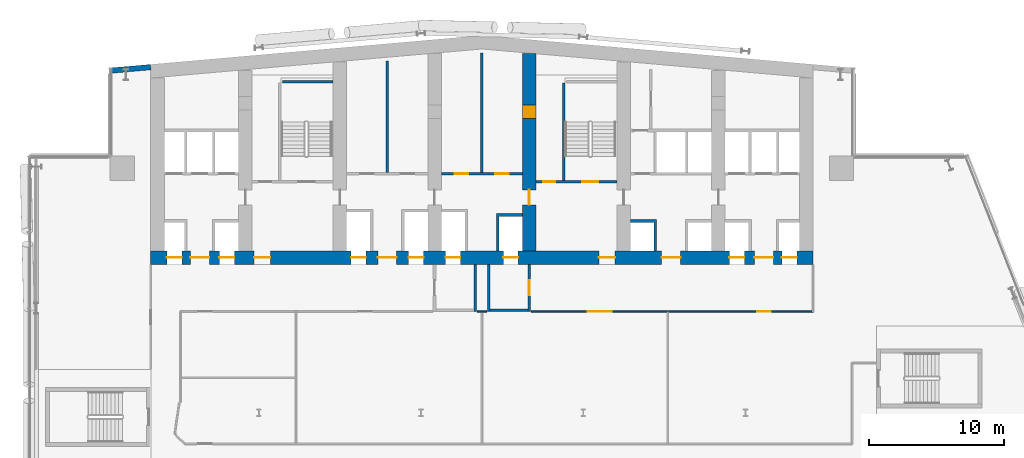
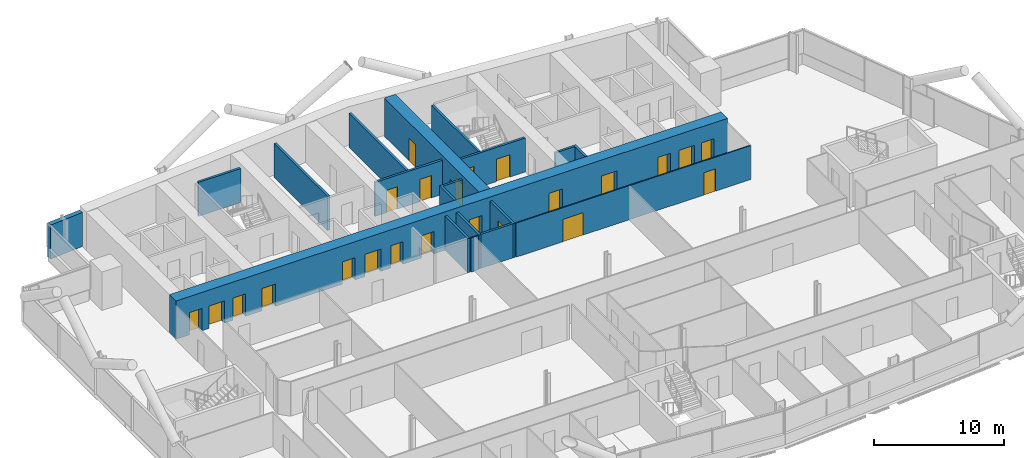
# One storey, part 18 of 27: 23 doors, 17 walls, 23 openings.
"""IFC4 building model written with IfcOpenShell, lengths in metres."""

from ifc_helpers import new_model, si_unit, direction, frame, frame_2d, origin, place, context, subcontext, project, spatial, polyline, rectangle, outline, extrude, material, layer, layer_set, type_object, element, fill, save


model = new_model("IFC4")

# Units and contexts
model_context = context("Model", 3, precision=1e-05, world=origin(), true_north=direction((0.0, 1.0)))
body_context = subcontext(model_context, "Body", "Model", "MODEL_VIEW")
ifc_project = project(units=[si_unit("LENGTHUNIT", "METRE"), si_unit("AREAUNIT", "SQUARE_METRE"), si_unit("VOLUMEUNIT", "CUBIC_METRE"), si_unit("PLANEANGLEUNIT", "RADIAN"), si_unit("MASSUNIT", "GRAM", prefix="KILO")], contexts=[model_context])

# Site, building, storey
site_placement = place(None, origin())
site = spatial("IfcSite", under=ifc_project, at=site_placement, CompositionType="ELEMENT")
building_placement = place(site_placement, origin())
building = spatial("IfcBuilding", under=site, at=building_placement, Name="Wharfspan Tower", CompositionType="ELEMENT")
storey_placement = place(building_placement, frame((0.0, 0.0, 136.300049)))
storey = spatial("IfcBuildingStorey", under=building, at=storey_placement, Name="L32", CompositionType="ELEMENT", Elevation=136.300049)

# Wall
ifc_material_1 = material(Name="Gypsum board on steel studs", Category="steel")
ifc_layer_1 = layer(ifc_material_1, 0.100098)
ifc_layer_set_1 = layer_set([ifc_layer_1], Name="Gypsum board on steel studs")
wall_type_1 = type_object("IfcWallType", Name="Compartment wall 100 EI 60", PredefinedType="PARTITIONING", material=ifc_layer_set_1)
wall_1_placement = place(storey_placement, frame((40.149902, 30.5, 0.0), z_axis=(0.0, 0.0, 1.0), x_axis=(1.0, 0.0, 0.0)))
element("IfcWall", 1, at=wall_1_placement, inside=storey, type_object=wall_type_1, Name="Partition L32.w017 (2)", PredefinedType="PARTITIONING", context=body_context, shape_type="SweptSolid", body=[
    extrude(rectangle(XDim=0.700195, YDim=0.100098, at=frame_2d((0.350098, 0.0))), origin(), (0.0, 0.0, 1.0), 3.199951),
])

# Wall, openings, doors
wall_2_placement = place(storey_placement, frame((44.149902, 30.5, 0.0), z_axis=(0.0, 0.0, 1.0), x_axis=(1.0, 0.0, 0.0)))
wall_2 = element("IfcWall", 2, at=wall_2_placement, inside=storey, type_object=wall_type_1, Name="Partition L32.w017 (3)", PredefinedType="PARTITIONING", context=body_context, shape_type="SweptSolid", body=[
    extrude(rectangle(XDim=20.850098, YDim=0.100098, at=frame_2d((10.425049, 0.0))), origin(), (0.0, 0.0, 1.0), 3.199951),
])
opening_1_placement = place(wall_2_placement, frame((4.169922, 0.0, 0.0)))
opening_1 = element("IfcOpeningElement", 3, at=opening_1_placement, cuts=wall_2, Name="Opening B5-32", PredefinedType="OPENING", context=body_context, shape_type="SweptSolid", body=[
    extrude(rectangle(XDim=1.800049, YDim=2.100098, at=frame_2d((0.899902, 1.050049))), frame((0.0, 0.060059, 0.0), z_axis=(0.0, -1.0, 0.0), x_axis=(1.0, 0.0, 0.0)), (0.0, 0.0, 1.0), 0.120117),
])
opening_2_placement = place(wall_2_placement, frame((16.719971, 0.0, 0.0)))
opening_2 = element("IfcOpeningElement", 4, at=opening_2_placement, cuts=wall_2, Name="Opening B5-33", PredefinedType="OPENING", context=body_context, shape_type="SweptSolid", body=[
    extrude(rectangle(XDim=1.0, YDim=2.100098, at=frame_2d((0.5, 1.050049))), frame((0.0, 0.060059, 0.0), z_axis=(0.0, -1.0, 0.0), x_axis=(1.0, 0.0, 0.0)), (0.0, 0.0, 1.0), 0.120117),
])
ifc_material_2 = material(Name="Fire-rated timber door leaf in steel frame", Category="steel")
door_type_1 = type_object("IfcDoorType", Name="Door 1000 FD30S Right", OperationType="SINGLE_SWING_RIGHT", PredefinedType="DOOR", material=ifc_material_2)
door_1_placement = place(opening_2_placement, origin())
door_1 = element("IfcDoor", 5, at=door_1_placement, inside=storey, type_object=door_type_1, Name="Door B5-33", OperationType="SINGLE_SWING_RIGHT", OverallHeight=2.100098, OverallWidth=1.0, PredefinedType="DOOR", context=body_context, shape_type="SweptSolid", body=[
    extrude(rectangle(XDim=1.0, YDim=2.100098, at=frame_2d((0.5, 1.050049))), frame((0.0, 0.024902, 0.0), z_axis=(0.0, -1.0, 0.0), x_axis=(1.0, 0.0, 0.0)), (0.0, 0.0, 1.0), 0.050049),
])
fill(opening_2, door_1)
door_type_2 = type_object("IfcDoorType", Name="Door 1800 FD30S Double", OperationType="DOUBLE_DOOR_SINGLE_SWING", PredefinedType="DOOR", material=ifc_material_2)
door_2_placement = place(opening_1_placement, origin())
door_2 = element("IfcDoor", 6, at=door_2_placement, inside=storey, type_object=door_type_2, Name="Door B5-32", OperationType="DOUBLE_DOOR_SINGLE_SWING", OverallHeight=2.100098, OverallWidth=1.800049, PredefinedType="DOOR", context=body_context, shape_type="SweptSolid", body=[
    extrude(rectangle(XDim=1.800049, YDim=2.100098, at=frame_2d((0.899902, 1.050049))), frame((0.0, 0.024902, 0.0), z_axis=(0.0, -1.0, 0.0), x_axis=(1.0, 0.0, 0.0)), (0.0, 0.0, 1.0), 0.050049),
])
fill(opening_1, door_2)

# Walls
ifc_material_3 = material(Name="Calcium silicate masonry", Category="masonry")
ifc_layer_2 = layer(ifc_material_3, 0.199951)
ifc_layer_set_2 = layer_set([ifc_layer_2], Name="Calcium silicate masonry")
wall_type_2 = type_object("IfcWallType", Name="Core room wall 200", PredefinedType="PARTITIONING", material=ifc_layer_set_2)
wall_3_placement = place(storey_placement, frame((33.5, 40.800049, 0.0), z_axis=(0.0, 0.0, 1.0), x_axis=(0.0, 1.0, 0.0)))
element("IfcWall", 7, at=wall_3_placement, inside=storey, type_object=wall_type_2, Name="sw:L32:RP3.1", PredefinedType="PARTITIONING", context=body_context, shape_type="SweptSolid", body=[
    extrude(rectangle(XDim=8.232178, YDim=0.199951, at=frame_2d((4.116211, 0.0))), origin(), (0.0, 0.0, 1.0), 3.199951),
])
wall_4_placement = place(storey_placement, frame((40.5, 40.800049, 0.0), z_axis=(0.0, 0.0, 1.0), x_axis=(0.0, 1.0, 0.0)))
element("IfcWall", 8, at=wall_4_placement, inside=storey, type_object=wall_type_2, Name="sw:L32:RP4.1", PredefinedType="PARTITIONING", context=body_context, shape_type="SweptSolid", body=[
    extrude(rectangle(XDim=8.844482, YDim=0.199951, at=frame_2d((4.422363, 0.0))), origin(), (0.0, 0.0, 1.0), 3.199951),
])

# Wall, openings, doors
ifc_material_4 = material(Name="Concrete C70/85", Category="concrete")
ifc_layer_3 = layer(ifc_material_4, 1.0)
ifc_layer_set_3 = layer_set([ifc_layer_3], Name="Concrete C70/85")
wall_type_3 = type_object("IfcWallType", Name="Core wall 1000 C70/85", PredefinedType="SHEAR", material=ifc_layer_set_3)
wall_5_placement = place(storey_placement, frame((16.0, 34.5, 0.0), z_axis=(0.0, 0.0, 1.0), x_axis=(1.0, 0.0, 0.0)))
wall_5 = element("IfcWall", 9, at=wall_5_placement, inside=storey, type_object=wall_type_3, Name="Core front wall L32", PredefinedType="SHEAR", context=body_context, shape_type="SweptSolid", body=[
    extrude(rectangle(XDim=49.0, YDim=1.0, at=frame_2d((24.5, 0.0))), origin(), (0.0, 0.0, 1.0), 3.599854),
])
opening_3_placement = place(wall_5_placement, frame((1.199951, 0.0, 0.0)))
opening_3 = element("IfcOpeningElement", 10, at=opening_3_placement, cuts=wall_5, Name="Opening LD.LA1.L32", PredefinedType="OPENING", context=body_context, shape_type="SweptSolid", body=[
    extrude(rectangle(XDim=1.100098, YDim=2.100098, at=frame_2d((0.550049, 1.050049))), frame((0.0, 0.51001, 0.0), z_axis=(0.0, -1.0, 0.0), x_axis=(1.0, 0.0, 0.0)), (0.0, 0.0, 1.0), 1.02002),
])
opening_4_placement = place(wall_5_placement, frame((5.083252, 0.0, 0.0)))
opening_4 = element("IfcOpeningElement", 11, at=opening_4_placement, cuts=wall_5, Name="Opening LD.LA2.L32", PredefinedType="OPENING", context=body_context, shape_type="SweptSolid", body=[
    extrude(rectangle(XDim=1.100098, YDim=2.100098, at=frame_2d((0.550049, 1.050049))), frame((0.0, 0.51001, 0.0), z_axis=(0.0, -1.0, 0.0), x_axis=(1.0, 0.0, 0.0)), (0.0, 0.0, 1.0), 1.02002),
])
opening_5_placement = place(wall_5_placement, frame((2.93335, 0.0, 0.0)))
opening_5 = element("IfcOpeningElement", 12, at=opening_5_placement, cuts=wall_5, Name="Opening HD32.1", PredefinedType="OPENING", context=body_context, shape_type="SweptSolid", body=[
    extrude(rectangle(XDim=1.399902, YDim=2.100098, at=frame_2d((0.699951, 1.050049))), frame((0.0, 0.51001, 0.0), z_axis=(0.0, -1.0, 0.0), x_axis=(1.0, 0.0, 0.0)), (0.0, 0.0, 1.0), 1.02002),
])
opening_6_placement = place(wall_5_placement, frame((7.649902, 0.0, 0.0)))
opening_6 = element("IfcOpeningElement", 13, at=opening_6_placement, cuts=wall_5, Name="Opening SV2.L32", PredefinedType="OPENING", context=body_context, shape_type="SweptSolid", body=[
    extrude(rectangle(XDim=1.199951, YDim=2.100098, at=frame_2d((0.600098, 1.050049))), frame((0.0, 0.51001, 0.0), z_axis=(0.0, -1.0, 0.0), x_axis=(1.0, 0.0, 0.0)), (0.0, 0.0, 1.0), 1.02002),
])
opening_7_placement = place(wall_5_placement, frame((14.81665, 0.0, 0.0)))
opening_7 = element("IfcOpeningElement", 14, at=opening_7_placement, cuts=wall_5, Name="Opening LD.SL1.L32", PredefinedType="OPENING", context=body_context, shape_type="SweptSolid", body=[
    extrude(rectangle(XDim=1.100098, YDim=2.100098, at=frame_2d((0.550049, 1.050049))), frame((0.0, 0.51001, 0.0), z_axis=(0.0, -1.0, 0.0), x_axis=(1.0, 0.0, 0.0)), (0.0, 0.0, 1.0), 1.02002),
])
opening_8_placement = place(wall_5_placement, frame((19.083252, 0.0, 0.0)))
opening_8 = element("IfcOpeningElement", 15, at=opening_8_placement, cuts=wall_5, Name="Opening LD.SL2.L32", PredefinedType="OPENING", context=body_context, shape_type="SweptSolid", body=[
    extrude(rectangle(XDim=1.100098, YDim=2.100098, at=frame_2d((0.550049, 1.050049))), frame((0.0, 0.51001, 0.0), z_axis=(0.0, -1.0, 0.0), x_axis=(1.0, 0.0, 0.0)), (0.0, 0.0, 1.0), 1.02002),
])
opening_9_placement = place(wall_5_placement, frame((16.800049, 0.0, 0.0)))
opening_9 = element("IfcOpeningElement", 16, at=opening_9_placement, cuts=wall_5, Name="Opening HD32.3", PredefinedType="OPENING", context=body_context, shape_type="SweptSolid", body=[
    extrude(rectangle(XDim=1.399902, YDim=2.100098, at=frame_2d((0.699951, 1.050049))), frame((0.0, 0.51001, 0.0), z_axis=(0.0, -1.0, 0.0), x_axis=(1.0, 0.0, 0.0)), (0.0, 0.0, 1.0), 1.02002),
])
opening_10_placement = place(wall_5_placement, frame((21.81665, 0.0, 0.0)))
opening_10 = element("IfcOpeningElement", 17, at=opening_10_placement, cuts=wall_5, Name="Opening LD.FF1.L32", PredefinedType="OPENING", context=body_context, shape_type="SweptSolid", body=[
    extrude(rectangle(XDim=1.100098, YDim=2.100098, at=frame_2d((0.550049, 1.050049))), frame((0.0, 0.51001, 0.0), z_axis=(0.0, -1.0, 0.0), x_axis=(1.0, 0.0, 0.0)), (0.0, 0.0, 1.0), 1.02002),
])
opening_11_placement = place(wall_5_placement, frame((26.083252, 0.0, 0.0)))
opening_11 = element("IfcOpeningElement", 18, at=opening_11_placement, cuts=wall_5, Name="Opening LD.FF2.L32", PredefinedType="OPENING", context=body_context, shape_type="SweptSolid", body=[
    extrude(rectangle(XDim=1.100098, YDim=2.100098, at=frame_2d((0.550049, 1.050049))), frame((0.0, 0.51001, 0.0), z_axis=(0.0, -1.0, 0.0), x_axis=(1.0, 0.0, 0.0)), (0.0, 0.0, 1.0), 1.02002),
])
opening_12_placement = place(wall_5_placement, frame((33.149902, 0.0, 0.0)))
opening_12 = element("IfcOpeningElement", 19, at=opening_12_placement, cuts=wall_5, Name="Opening SV5.L32", PredefinedType="OPENING", context=body_context, shape_type="SweptSolid", body=[
    extrude(rectangle(XDim=1.199951, YDim=2.100098, at=frame_2d((0.600098, 1.050049))), frame((0.0, 0.51001, 0.0), z_axis=(0.0, -1.0, 0.0), x_axis=(1.0, 0.0, 0.0)), (0.0, 0.0, 1.0), 1.02002),
])
opening_13_placement = place(wall_5_placement, frame((37.800049, 0.0, 0.0)))
opening_13 = element("IfcOpeningElement", 20, at=opening_13_placement, cuts=wall_5, Name="Opening HD32.6", PredefinedType="OPENING", context=body_context, shape_type="SweptSolid", body=[
    extrude(rectangle(XDim=1.399902, YDim=2.100098, at=frame_2d((0.699951, 1.050049))), frame((0.0, 0.51001, 0.0), z_axis=(0.0, -1.0, 0.0), x_axis=(1.0, 0.0, 0.0)), (0.0, 0.0, 1.0), 1.02002),
])
opening_14_placement = place(wall_5_placement, frame((42.81665, 0.0, 0.0)))
opening_14 = element("IfcOpeningElement", 21, at=opening_14_placement, cuts=wall_5, Name="Opening LD.LA6.L32", PredefinedType="OPENING", context=body_context, shape_type="SweptSolid", body=[
    extrude(rectangle(XDim=1.100098, YDim=2.100098, at=frame_2d((0.550049, 1.050049))), frame((0.0, 0.51001, 0.0), z_axis=(0.0, -1.0, 0.0), x_axis=(1.0, 0.0, 0.0)), (0.0, 0.0, 1.0), 1.02002),
])
opening_15_placement = place(wall_5_placement, frame((46.699951, 0.0, 0.0)))
opening_15 = element("IfcOpeningElement", 22, at=opening_15_placement, cuts=wall_5, Name="Opening LD.LA7.L32", PredefinedType="OPENING", context=body_context, shape_type="SweptSolid", body=[
    extrude(rectangle(XDim=1.100098, YDim=2.100098, at=frame_2d((0.550049, 1.050049))), frame((0.0, 0.51001, 0.0), z_axis=(0.0, -1.0, 0.0), x_axis=(1.0, 0.0, 0.0)), (0.0, 0.0, 1.0), 1.02002),
])
opening_16_placement = place(wall_5_placement, frame((44.666748, 0.0, 0.0)))
opening_16 = element("IfcOpeningElement", 23, at=opening_16_placement, cuts=wall_5, Name="Opening HD32.7", PredefinedType="OPENING", context=body_context, shape_type="SweptSolid", body=[
    extrude(rectangle(XDim=1.399902, YDim=2.100098, at=frame_2d((0.699951, 1.050049))), frame((0.0, 0.51001, 0.0), z_axis=(0.0, -1.0, 0.0), x_axis=(1.0, 0.0, 0.0)), (0.0, 0.0, 1.0), 1.02002),
])
ifc_material_5 = material(Name="Steel door leaf", Category="steel")
door_type_3 = type_object("IfcDoorType", Name="Hall entry door 1400x2100", OperationType="DOUBLE_DOOR_SINGLE_SWING", PredefinedType="DOOR", material=ifc_material_5)
door_3_placement = place(opening_5_placement, origin())
door_3 = element("IfcDoor", 24, at=door_3_placement, inside=storey, type_object=door_type_3, Name="d:L32:1:hd1", OperationType="DOUBLE_DOOR_SINGLE_SWING", OverallHeight=2.100098, OverallWidth=1.399902, PredefinedType="DOOR", context=body_context, shape_type="SweptSolid", body=[
    extrude(rectangle(XDim=1.399902, YDim=2.100098, at=frame_2d((0.699951, 1.050049))), frame((0.0, 0.024902, 0.0), z_axis=(0.0, -1.0, 0.0), x_axis=(1.0, 0.0, 0.0)), (0.0, 0.0, 1.0), 0.050049),
])
fill(opening_5, door_3)
door_4_placement = place(opening_9_placement, origin())
door_4 = element("IfcDoor", 25, at=door_4_placement, inside=storey, type_object=door_type_3, Name="d:L32:3:hd3", OperationType="DOUBLE_DOOR_SINGLE_SWING", OverallHeight=2.100098, OverallWidth=1.399902, PredefinedType="DOOR", context=body_context, shape_type="SweptSolid", body=[
    extrude(rectangle(XDim=1.399902, YDim=2.100098, at=frame_2d((0.699951, 1.050049))), frame((0.0, 0.024902, 0.0), z_axis=(0.0, -1.0, 0.0), x_axis=(1.0, 0.0, 0.0)), (0.0, 0.0, 1.0), 0.050049),
])
fill(opening_9, door_4)
door_5_placement = place(opening_13_placement, origin())
door_5 = element("IfcDoor", 26, at=door_5_placement, inside=storey, type_object=door_type_3, Name="d:L32:6:hd6", OperationType="DOUBLE_DOOR_SINGLE_SWING", OverallHeight=2.100098, OverallWidth=1.399902, PredefinedType="DOOR", context=body_context, shape_type="SweptSolid", body=[
    extrude(rectangle(XDim=1.399902, YDim=2.100098, at=frame_2d((0.699951, 1.050049))), frame((0.0, 0.024902, 0.0), z_axis=(0.0, -1.0, 0.0), x_axis=(1.0, 0.0, 0.0)), (0.0, 0.0, 1.0), 0.050049),
])
fill(opening_13, door_5)
door_6_placement = place(opening_16_placement, origin())
door_6 = element("IfcDoor", 27, at=door_6_placement, inside=storey, type_object=door_type_3, Name="d:L32:7:hd7", OperationType="DOUBLE_DOOR_SINGLE_SWING", OverallHeight=2.100098, OverallWidth=1.399902, PredefinedType="DOOR", context=body_context, shape_type="SweptSolid", body=[
    extrude(rectangle(XDim=1.399902, YDim=2.100098, at=frame_2d((0.699951, 1.050049))), frame((0.0, 0.024902, 0.0), z_axis=(0.0, -1.0, 0.0), x_axis=(1.0, 0.0, 0.0)), (0.0, 0.0, 1.0), 0.050049),
])
fill(opening_16, door_6)
ifc_material_6 = material(Name="Stainless steel", Category="steel")
door_type_4 = type_object("IfcDoorType", Name="Lift landing door 1100x2100", OperationType="DOUBLE_DOOR_SLIDING", PredefinedType="DOOR", material=ifc_material_6)
door_7_placement = place(opening_3_placement, origin())
door_7 = element("IfcDoor", 28, at=door_7_placement, inside=storey, type_object=door_type_4, Name="Landing door LA1 L32", OperationType="DOUBLE_DOOR_SLIDING", OverallHeight=2.100098, OverallWidth=1.100098, PredefinedType="DOOR", context=body_context, shape_type="SweptSolid", body=[
    extrude(rectangle(XDim=1.100098, YDim=2.100098, at=frame_2d((0.550049, 1.050049))), frame((0.0, 0.024902, 0.0), z_axis=(0.0, -1.0, 0.0), x_axis=(1.0, 0.0, 0.0)), (0.0, 0.0, 1.0), 0.050049),
])
fill(opening_3, door_7)
door_8_placement = place(opening_4_placement, origin())
door_8 = element("IfcDoor", 29, at=door_8_placement, inside=storey, type_object=door_type_4, Name="Landing door LA2 L32", OperationType="DOUBLE_DOOR_SLIDING", OverallHeight=2.100098, OverallWidth=1.100098, PredefinedType="DOOR", context=body_context, shape_type="SweptSolid", body=[
    extrude(rectangle(XDim=1.100098, YDim=2.100098, at=frame_2d((0.550049, 1.050049))), frame((0.0, 0.024902, 0.0), z_axis=(0.0, -1.0, 0.0), x_axis=(1.0, 0.0, 0.0)), (0.0, 0.0, 1.0), 0.050049),
])
fill(opening_4, door_8)
door_9_placement = place(opening_7_placement, origin())
door_9 = element("IfcDoor", 30, at=door_9_placement, inside=storey, type_object=door_type_4, Name="Landing door SL1 L32", OperationType="DOUBLE_DOOR_SLIDING", OverallHeight=2.100098, OverallWidth=1.100098, PredefinedType="DOOR", context=body_context, shape_type="SweptSolid", body=[
    extrude(rectangle(XDim=1.100098, YDim=2.100098, at=frame_2d((0.550049, 1.050049))), frame((0.0, 0.024902, 0.0), z_axis=(0.0, -1.0, 0.0), x_axis=(1.0, 0.0, 0.0)), (0.0, 0.0, 1.0), 0.050049),
])
fill(opening_7, door_9)
door_10_placement = place(opening_8_placement, origin())
door_10 = element("IfcDoor", 31, at=door_10_placement, inside=storey, type_object=door_type_4, Name="Landing door SL2 L32", OperationType="DOUBLE_DOOR_SLIDING", OverallHeight=2.100098, OverallWidth=1.100098, PredefinedType="DOOR", context=body_context, shape_type="SweptSolid", body=[
    extrude(rectangle(XDim=1.100098, YDim=2.100098, at=frame_2d((0.550049, 1.050049))), frame((0.0, 0.024902, 0.0), z_axis=(0.0, -1.0, 0.0), x_axis=(1.0, 0.0, 0.0)), (0.0, 0.0, 1.0), 0.050049),
])
fill(opening_8, door_10)
door_11_placement = place(opening_10_placement, origin())
door_11 = element("IfcDoor", 32, at=door_11_placement, inside=storey, type_object=door_type_4, Name="Landing door FF1 L32", OperationType="DOUBLE_DOOR_SLIDING", OverallHeight=2.100098, OverallWidth=1.100098, PredefinedType="DOOR", context=body_context, shape_type="SweptSolid", body=[
    extrude(rectangle(XDim=1.100098, YDim=2.100098, at=frame_2d((0.550049, 1.050049))), frame((0.0, 0.024902, 0.0), z_axis=(0.0, -1.0, 0.0), x_axis=(1.0, 0.0, 0.0)), (0.0, 0.0, 1.0), 0.050049),
])
fill(opening_10, door_11)
door_12_placement = place(opening_11_placement, origin())
door_12 = element("IfcDoor", 33, at=door_12_placement, inside=storey, type_object=door_type_4, Name="Landing door FF2 L32", OperationType="DOUBLE_DOOR_SLIDING", OverallHeight=2.100098, OverallWidth=1.100098, PredefinedType="DOOR", context=body_context, shape_type="SweptSolid", body=[
    extrude(rectangle(XDim=1.100098, YDim=2.100098, at=frame_2d((0.550049, 1.050049))), frame((0.0, 0.024902, 0.0), z_axis=(0.0, -1.0, 0.0), x_axis=(1.0, 0.0, 0.0)), (0.0, 0.0, 1.0), 0.050049),
])
fill(opening_11, door_12)
door_13_placement = place(opening_14_placement, origin())
door_13 = element("IfcDoor", 34, at=door_13_placement, inside=storey, type_object=door_type_4, Name="Landing door LA6 L32", OperationType="DOUBLE_DOOR_SLIDING", OverallHeight=2.100098, OverallWidth=1.100098, PredefinedType="DOOR", context=body_context, shape_type="SweptSolid", body=[
    extrude(rectangle(XDim=1.100098, YDim=2.100098, at=frame_2d((0.550049, 1.050049))), frame((0.0, 0.024902, 0.0), z_axis=(0.0, -1.0, 0.0), x_axis=(1.0, 0.0, 0.0)), (0.0, 0.0, 1.0), 0.050049),
])
fill(opening_14, door_13)
door_14_placement = place(opening_15_placement, origin())
door_14 = element("IfcDoor", 35, at=door_14_placement, inside=storey, type_object=door_type_4, Name="Landing door LA7 L32", OperationType="DOUBLE_DOOR_SLIDING", OverallHeight=2.100098, OverallWidth=1.100098, PredefinedType="DOOR", context=body_context, shape_type="SweptSolid", body=[
    extrude(rectangle(XDim=1.100098, YDim=2.100098, at=frame_2d((0.550049, 1.050049))), frame((0.0, 0.024902, 0.0), z_axis=(0.0, -1.0, 0.0), x_axis=(1.0, 0.0, 0.0)), (0.0, 0.0, 1.0), 0.050049),
])
fill(opening_15, door_14)
door_type_5 = type_object("IfcDoorType", Name="Stair door 1200x2100", OperationType="SINGLE_SWING_LEFT", PredefinedType="DOOR", material=ifc_material_5)
door_15_placement = place(opening_6_placement, origin())
door_15 = element("IfcDoor", 36, at=door_15_placement, inside=storey, type_object=door_type_5, Name="vd:L32:2", OperationType="SINGLE_SWING_LEFT", OverallHeight=2.100098, OverallWidth=1.199951, PredefinedType="DOOR", context=body_context, shape_type="SweptSolid", body=[
    extrude(rectangle(XDim=1.199951, YDim=2.100098, at=frame_2d((0.600098, 1.050049))), frame((0.0, 0.024902, 0.0), z_axis=(0.0, -1.0, 0.0), x_axis=(1.0, 0.0, 0.0)), (0.0, 0.0, 1.0), 0.050049),
])
fill(opening_6, door_15)
door_16_placement = place(opening_12_placement, origin())
door_16 = element("IfcDoor", 37, at=door_16_placement, inside=storey, type_object=door_type_5, Name="vd:L32:5", OperationType="SINGLE_SWING_LEFT", OverallHeight=2.100098, OverallWidth=1.199951, PredefinedType="DOOR", context=body_context, shape_type="SweptSolid", body=[
    extrude(rectangle(XDim=1.199951, YDim=2.100098, at=frame_2d((0.600098, 1.050049))), frame((0.0, 0.024902, 0.0), z_axis=(0.0, -1.0, 0.0), x_axis=(1.0, 0.0, 0.0)), (0.0, 0.0, 1.0), 0.050049),
])
fill(opening_12, door_16)

wall_6_placement = place(storey_placement, frame((44.0, 35.0, 0.0), z_axis=(0.0, 0.0, 1.0), x_axis=(0.0, 1.0, 0.0)))
wall_6 = element("IfcWall", 38, at=wall_6_placement, inside=storey, type_object=wall_type_3, Name="Core cross wall X5 L32", PredefinedType="SHEAR", context=body_context, shape_type="SweptSolid", body=[
    extrude(rectangle(XDim=14.577148, YDim=1.0, at=frame_2d((7.288574, 0.0))), origin(), (0.0, 0.0, 1.0), 3.599854),
])
opening_17_placement = place(wall_6_placement, frame((3.399902, 0.0, 0.0)))
opening_17 = element("IfcOpeningElement", 39, at=opening_17_placement, cuts=wall_6, Name="Opening CC32.5", PredefinedType="OPENING", context=body_context, shape_type="SweptSolid", body=[
    extrude(rectangle(XDim=1.100098, YDim=2.100098, at=frame_2d((0.550049, 1.050049))), frame((0.0, 0.51001, 0.0), z_axis=(0.0, -1.0, 0.0), x_axis=(1.0, 0.0, 0.0)), (0.0, 0.0, 1.0), 1.02002),
])
opening_18_placement = place(wall_6_placement, frame((9.800049, 0.0, 0.0)))
opening_18 = element("IfcOpeningElement", 40, at=opening_18_placement, cuts=wall_6, Name="Opening CR32.5", PredefinedType="OPENING", context=body_context, shape_type="SweptSolid", body=[
    extrude(rectangle(XDim=1.0, YDim=2.100098, at=frame_2d((0.5, 1.050049))), frame((0.0, 0.51001, 0.0), z_axis=(0.0, -1.0, 0.0), x_axis=(1.0, 0.0, 0.0)), (0.0, 0.0, 1.0), 1.02002),
])
door_type_6 = type_object("IfcDoorType", Name="Core corridor door 1100x2100", OperationType="SINGLE_SWING_LEFT", PredefinedType="DOOR", material=ifc_material_5)
door_17_placement = place(opening_17_placement, origin())
door_17 = element("IfcDoor", 41, at=door_17_placement, inside=storey, type_object=door_type_6, Name="xd:L32:5", OperationType="SINGLE_SWING_LEFT", OverallHeight=2.100098, OverallWidth=1.100098, PredefinedType="DOOR", context=body_context, shape_type="SweptSolid", body=[
    extrude(rectangle(XDim=1.100098, YDim=2.100098, at=frame_2d((0.550049, 1.050049))), frame((0.0, 0.024902, 0.0), z_axis=(0.0, -1.0, 0.0), x_axis=(1.0, 0.0, 0.0)), (0.0, 0.0, 1.0), 0.050049),
])
fill(opening_17, door_17)
door_type_7 = type_object("IfcDoorType", Name="Core room door 1000x2100", OperationType="SINGLE_SWING_LEFT", PredefinedType="DOOR", material=ifc_material_5)
door_18_placement = place(opening_18_placement, origin())
door_18 = element("IfcDoor", 42, at=door_18_placement, inside=storey, type_object=door_type_7, Name="xr:L32:5", OperationType="SINGLE_SWING_RIGHT", OverallHeight=2.100098, OverallWidth=1.0, PredefinedType="DOOR", context=body_context, shape_type="SweptSolid", body=[
    extrude(rectangle(XDim=1.0, YDim=2.100098, at=frame_2d((0.5, 1.050049))), frame((0.0, 0.499756, 0.0), z_axis=(0.0, -1.0, 0.0), x_axis=(1.0, 0.0, 0.0)), (0.0, 0.0, 1.0), 0.999512),
])
fill(opening_18, door_18)

ifc_material_7 = material(Name="Concrete C30/37", Category="concrete")
ifc_layer_4 = layer(ifc_material_7, 0.199951)
ifc_layer_set_4 = layer_set([ifc_layer_4], Name="Concrete C30/37")
wall_type_4 = type_object("IfcWallType", Name="Lift shaft wall 200", PredefinedType="PARTITIONING", material=ifc_layer_set_4)
wall_7_placement = place(storey_placement, frame((37.5, 40.699951, 0.0), z_axis=(0.0, 0.0, 1.0), x_axis=(1.0, 0.0, 0.0)))
wall_7 = element("IfcWall", 43, at=wall_7_placement, inside=storey, type_object=wall_type_4, Name="sw:L32:RF4", PredefinedType="PARTITIONING", context=body_context, shape_type="SweptSolid", body=[
    extrude(rectangle(XDim=6.0, YDim=0.199951, at=frame_2d((3.0, 0.0))), origin(), (0.0, 0.0, 1.0), 3.199951),
])
opening_19_placement = place(wall_7_placement, frame((1.0, 0.0, 0.0)))
opening_19 = element("IfcOpeningElement", 44, at=opening_19_placement, cuts=wall_7, Name="Opening CD32.4S", PredefinedType="OPENING", context=body_context, shape_type="SweptSolid", body=[
    extrude(rectangle(XDim=1.0, YDim=2.100098, at=frame_2d((0.5, 1.050049))), frame((0.0, 0.109863, 0.0), z_axis=(0.0, -1.0, 0.0), x_axis=(1.0, 0.0, 0.0)), (0.0, 0.0, 1.0), 0.219971),
])
opening_20_placement = place(wall_7_placement, frame((4.0, 0.0, 0.0)))
opening_20 = element("IfcOpeningElement", 45, at=opening_20_placement, cuts=wall_7, Name="Opening CD32.4Sa", PredefinedType="OPENING", context=body_context, shape_type="SweptSolid", body=[
    extrude(rectangle(XDim=1.0, YDim=2.100098, at=frame_2d((0.5, 1.050049))), frame((0.0, 0.109863, 0.0), z_axis=(0.0, -1.0, 0.0), x_axis=(1.0, 0.0, 0.0)), (0.0, 0.0, 1.0), 0.219971),
])
door_19_placement = place(opening_19_placement, origin())
door_19 = element("IfcDoor", 46, at=door_19_placement, inside=storey, type_object=door_type_7, Name="d:L32:4:sf", OperationType="SINGLE_SWING_LEFT", OverallHeight=2.100098, OverallWidth=1.0, PredefinedType="DOOR", context=body_context, shape_type="SweptSolid", body=[
    extrude(rectangle(XDim=1.0, YDim=2.100098, at=frame_2d((0.5, 1.050049))), frame((0.0, 0.024902, 0.0), z_axis=(0.0, -1.0, 0.0), x_axis=(1.0, 0.0, 0.0)), (0.0, 0.0, 1.0), 0.050049),
])
fill(opening_19, door_19)
door_20_placement = place(opening_20_placement, origin())
door_20 = element("IfcDoor", 47, at=door_20_placement, inside=storey, type_object=door_type_7, Name="d:L32:4:sf1", OperationType="SINGLE_SWING_LEFT", OverallHeight=2.100098, OverallWidth=1.0, PredefinedType="DOOR", context=body_context, shape_type="SweptSolid", body=[
    extrude(rectangle(XDim=1.0, YDim=2.100098, at=frame_2d((0.5, 1.050049))), frame((0.0, 0.024902, 0.0), z_axis=(0.0, -1.0, 0.0), x_axis=(1.0, 0.0, 0.0)), (0.0, 0.0, 1.0), 0.050049),
])
fill(opening_20, door_20)

# Walls
wall_8_placement = place(storey_placement, frame((0.0, 0.0, -0.000244)))
element("IfcWall", 48, at=wall_8_placement, inside=storey, type_object=wall_type_4, Name="sw:L32:FM4.0", PredefinedType="PARTITIONING", context=body_context, shape_type="SweptSolid", body=[
    extrude(outline(polyline([(41.56665, 37.75), (41.766602, 37.75), (43.5, 37.75), (43.5, 37.550049), (41.766602, 37.550049), (41.766602, 35.0), (41.56665, 35.0), (41.56665, 37.75)])), origin(), (0.0, 0.0, 1.0), 3.200195),
])
wall_9_placement = place(storey_placement, frame((0.0, 0.0, -0.000244)))
element("IfcWall", 49, at=wall_9_placement, inside=storey, type_object=wall_type_4, Name="sw:L32:FM6.0", PredefinedType="PARTITIONING", context=body_context, shape_type="SweptSolid", body=[
    extrude(outline(polyline([(53.233398, 37.100098), (51.5, 37.100098), (51.5, 37.300049), (53.233398, 37.300049), (53.43335, 37.300049), (53.43335, 35.0), (53.233398, 35.0), (53.233398, 37.100098)])), origin(), (0.0, 0.0, 1.0), 3.200195),
])
ifc_layer_5 = layer(ifc_material_7, 0.199951)
ifc_layer_set_5 = layer_set([ifc_layer_5], Name="Concrete C30/37")
wall_type_5 = type_object("IfcWallType", Name="Lobby wall 200", PredefinedType="PARTITIONING", material=ifc_layer_set_5)
for number, where, z_axis, x_axis, name in (
    (50, (40.0, 30.5, 0.0), (0.0, 0.0, 1.0), (0.0, 1.0, 0.0), "sw:L32:FLFF1E"),
    (51, (41.0, 30.5, 0.0), (0.0, 0.0, 1.0), (0.0, 1.0, 0.0), "sw:L32:FLFF2W"),
):
    element("IfcWall", number, at=place(storey_placement, frame(where, z_axis=z_axis, x_axis=x_axis)), inside=storey, type_object=wall_type_5, Name=name, PredefinedType="PARTITIONING", context=body_context, shape_type="SweptSolid", body=[
        extrude(rectangle(XDim=3.5, YDim=0.199951, at=frame_2d((1.75, 0.0))), origin(), (0.0, 0.0, 1.0), 3.199951),
    ])

# Wall, opening, door
wall_10_placement = place(storey_placement, frame((44.0, 30.5, 0.0), z_axis=(0.0, 0.0, 1.0), x_axis=(0.0, 1.0, 0.0)))
wall_10 = element("IfcWall", 52, at=wall_10_placement, inside=storey, type_object=wall_type_5, Name="sw:L32:FLFF2E", PredefinedType="PARTITIONING", context=body_context, shape_type="SweptSolid", body=[
    extrude(rectangle(XDim=3.5, YDim=0.199951, at=frame_2d((1.75, 0.0))), origin(), (0.0, 0.0, 1.0), 3.199951),
])
opening_21_placement = place(wall_10_placement, frame((1.199951, 0.0, 0.0)))
opening_21 = element("IfcOpeningElement", 53, at=opening_21_placement, cuts=wall_10, Name="Opening FL.FF2.L32", PredefinedType="OPENING", context=body_context, shape_type="SweptSolid", body=[
    extrude(rectangle(XDim=1.100098, YDim=2.100098, at=frame_2d((0.550049, 1.050049))), frame((0.0, 0.109863, 0.0), z_axis=(0.0, -1.0, 0.0), x_axis=(1.0, 0.0, 0.0)), (0.0, 0.0, 1.0), 0.219971),
])
door_type_8 = type_object("IfcDoorType", Name="Firefighting lobby door 1100x2100", OperationType="SINGLE_SWING_LEFT", PredefinedType="DOOR", material=ifc_material_5)
door_21_placement = place(opening_21_placement, origin())
door_21 = element("IfcDoor", 54, at=door_21_placement, inside=storey, type_object=door_type_8, Name="fd:L32:FF2", OperationType="SINGLE_SWING_LEFT", OverallHeight=2.100098, OverallWidth=1.100098, PredefinedType="DOOR", context=body_context, shape_type="SweptSolid", body=[
    extrude(rectangle(XDim=1.100098, YDim=2.100098, at=frame_2d((0.550049, 1.050049))), frame((0.0, 0.024902, 0.0), z_axis=(0.0, -1.0, 0.0), x_axis=(1.0, 0.0, 0.0)), (0.0, 0.0, 1.0), 0.050049),
])
fill(opening_21, door_21)

# Walls
wall_11_placement = place(storey_placement, frame((41.100098, 30.600098, 0.0), z_axis=(0.0, 0.0, 1.0), x_axis=(1.0, 0.0, 0.0)))
element("IfcWall", 55, at=wall_11_placement, inside=storey, type_object=wall_type_5, Name="sw:L32:FLFF2F", PredefinedType="PARTITIONING", context=body_context, shape_type="SweptSolid", body=[
    extrude(rectangle(XDim=2.799805, YDim=0.199951, at=frame_2d((1.399902, 0.0))), origin(), (0.0, 0.0, 1.0), 3.199951),
])
ifc_material_8 = material(Name="Concrete C40/50", Category="concrete")
ifc_layer_6 = layer(ifc_material_8, 0.199951)
ifc_layer_set_6 = layer_set([ifc_layer_6], Name="Concrete C40/50")
wall_type_6 = type_object("IfcWallType", Name="Stair shaft wall 200", PredefinedType="SHEAR", material=ifc_layer_set_6)
wall_12_placement = place(storey_placement, frame((25.75, 47.5, 0.0), z_axis=(0.0, 0.0, 1.0), x_axis=(1.0, 0.0, 0.0)))
element("IfcWall", 56, at=wall_12_placement, inside=storey, type_object=wall_type_6, Name="ST1 stair enclosure wall L32", PredefinedType="SHEAR", context=body_context, shape_type="SweptSolid", body=[
    extrude(rectangle(XDim=3.75, YDim=0.199951, at=frame_2d((1.875, 0.0))), origin(), (0.0, 0.0, 1.0), 3.199951),
])

# Wall, openings, doors
wall_13_placement = place(storey_placement, frame((44.5, 40.100098, 0.0), z_axis=(0.0, 0.0, 1.0), x_axis=(1.0, 0.0, 0.0)))
wall_13 = element("IfcWall", 57, at=wall_13_placement, inside=storey, type_object=wall_type_6, Name="ST2 stair enclosure wall L32", PredefinedType="SHEAR", context=body_context, shape_type="SweptSolid", body=[
    extrude(rectangle(XDim=6.0, YDim=0.199951, at=frame_2d((3.0, 0.0))), origin(), (0.0, 0.0, 1.0), 3.199951),
])
opening_22_placement = place(wall_13_placement, frame((3.425049, 0.0, 0.0)))
opening_22 = element("IfcOpeningElement", 58, at=opening_22_placement, cuts=wall_13, Name="Opening SD5.L32", PredefinedType="OPENING", context=body_context, shape_type="SweptSolid", body=[
    extrude(rectangle(XDim=1.199951, YDim=2.100098, at=frame_2d((0.600098, 1.050049))), frame((0.0, 0.109863, 0.0), z_axis=(0.0, -1.0, 0.0), x_axis=(1.0, 0.0, 0.0)), (0.0, 0.0, 1.0), 0.219971),
])
opening_23_placement = place(wall_13_placement, frame((0.524902, 0.0, 0.0)))
opening_23 = element("IfcOpeningElement", 59, at=opening_23_placement, cuts=wall_13, Name="Opening CD32.5R", PredefinedType="OPENING", context=body_context, shape_type="SweptSolid", body=[
    extrude(rectangle(XDim=0.899902, YDim=2.100098, at=frame_2d((0.449951, 1.050049))), frame((0.0, 0.109863, 0.0), z_axis=(0.0, -1.0, 0.0), x_axis=(1.0, 0.0, 0.0)), (0.0, 0.0, 1.0), 0.219971),
])
door_22_placement = place(opening_23_placement, origin())
door_22 = element("IfcDoor", 60, at=door_22_placement, inside=storey, type_object=door_type_7, Name="rk:L32:5", OperationType="SINGLE_SWING_LEFT", OverallHeight=2.100098, OverallWidth=0.899902, PredefinedType="DOOR", context=body_context, shape_type="SweptSolid", body=[
    extrude(rectangle(XDim=0.899902, YDim=2.100098, at=frame_2d((0.449951, 1.050049))), frame((0.0, 0.024902, 0.0), z_axis=(0.0, -1.0, 0.0), x_axis=(1.0, 0.0, 0.0)), (0.0, 0.0, 1.0), 0.050049),
])
fill(opening_23, door_22)
door_23_placement = place(opening_22_placement, origin())
door_23 = element("IfcDoor", 61, at=door_23_placement, inside=storey, type_object=door_type_5, Name="sd:L32:5", OperationType="SINGLE_SWING_RIGHT", OverallHeight=2.100098, OverallWidth=1.199951, PredefinedType="DOOR", context=body_context, shape_type="SweptSolid", body=[
    extrude(rectangle(XDim=1.199951, YDim=2.100098, at=frame_2d((0.600098, 1.050049))), frame((0.0, 0.024902, 0.0), z_axis=(0.0, -1.0, 0.0), x_axis=(1.0, 0.0, 0.0)), (0.0, 0.0, 1.0), 0.050049),
])
fill(opening_22, door_23)

# Walls
wall_14_placement = place(storey_placement, frame((46.550049, 40.199951, 0.0), z_axis=(0.0, 0.0, 1.0), x_axis=(0.0, 1.0, 0.0)))
element("IfcWall", 62, at=wall_14_placement, inside=storey, type_object=wall_type_6, Name="ST2 stair enclosure wall L32", PredefinedType="SHEAR", context=body_context, shape_type="SweptSolid", body=[
    extrude(rectangle(XDim=7.199951, YDim=0.199951, at=frame_2d((3.600098, 0.0))), origin(), (0.0, 0.0, 1.0), 3.199951),
])
ifc_layer_7 = layer(ifc_material_8, 0.399902)
ifc_layer_set_7 = layer_set([ifc_layer_7], Name="Concrete C40/50")
wall_type_7 = type_object("IfcWallType", Name="WALL EXPOSED CONCRETE 400", PredefinedType="SOLIDWALL", material=ifc_layer_set_7)
wall_15_placement = place(storey_placement, frame((16.0, 48.58667, 0.0), z_axis=(0.0, 0.0, 1.0), x_axis=(-0.996194, -0.087168, 0.0)))
element("IfcWall", 63, at=wall_15_placement, inside=storey, type_object=wall_type_7, Name="Rear wall N1", PredefinedType="SOLIDWALL", context=body_context, shape_type="SweptSolid", body=[
    extrude(rectangle(XDim=2.994141, YDim=0.399902, at=frame_2d((1.49707, 0.0))), origin(), (0.0, 0.0, 1.0), 3.199951),
])

save(model, "model.ifc")
